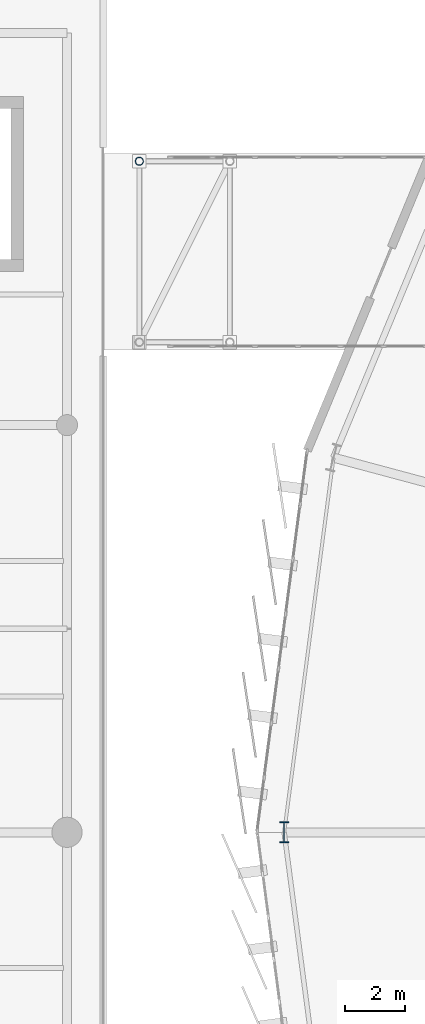
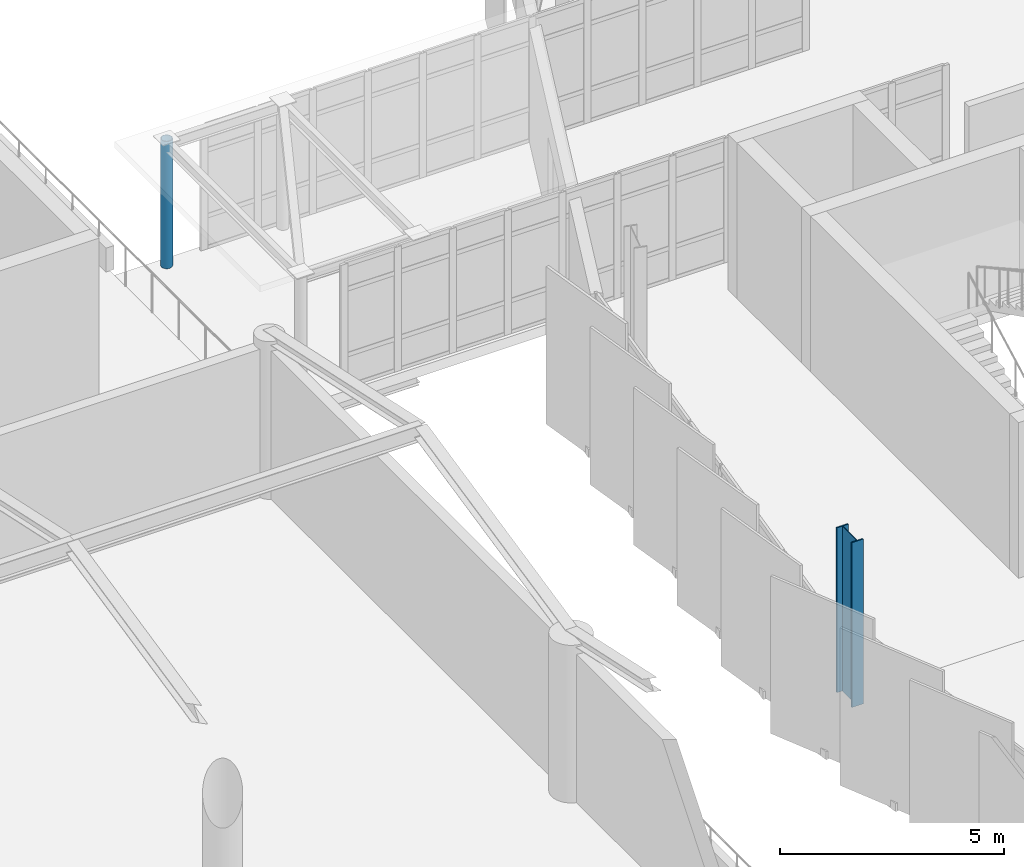
# One storey, part 10 of 120: 2 columns.
"""IFC4 building model written with IfcOpenShell, lengths in metres."""

from ifc_helpers import new_model, si_unit, direction, frame, origin, origin_2d, place, context, subcontext, project, spatial, hollow_circle, i_section, extrude, material, material_profile, profile_set, type_object, element, save


model = new_model("IFC4")

# Units and contexts
model_context = context("Model", 3, precision=1e-05, world=origin(), true_north=direction((0.0, 1.0)))
body_context = subcontext(model_context, "Body", "Model", "MODEL_VIEW")
ifc_project = project(units=[si_unit("LENGTHUNIT", "METRE"), si_unit("AREAUNIT", "SQUARE_METRE"), si_unit("VOLUMEUNIT", "CUBIC_METRE"), si_unit("PLANEANGLEUNIT", "RADIAN"), si_unit("MASSUNIT", "GRAM", prefix="KILO")], contexts=[model_context])

# Site, building, storey
site_placement = place(None, origin())
site = spatial("IfcSite", under=ifc_project, at=site_placement, CompositionType="ELEMENT")
building_placement = place(site_placement, origin())
building = spatial("IfcBuilding", under=site, at=building_placement, Name="Sohan Crest Arena", CompositionType="ELEMENT")
storey_placement = place(building_placement, frame((0.0, 0.0, 13.5)))
storey = spatial("IfcBuildingStorey", under=building, at=storey_placement, Name="L03", CompositionType="ELEMENT", Elevation=13.5)

# Columns
ifc_material = material(Name="Steel S355", Category="steel")
ifc_material_profile_1 = material_profile(ifc_material, i_section(OverallWidth=0.300048828125, OverallDepth=0.699951171875, WebThickness=0.01708984375, FlangeThickness=0.031982421875, at=origin_2d()), Name="HEB 700")
ifc_profile_set_1 = profile_set([ifc_material_profile_1], Name="Steel S355")
column_type_1 = type_object("IfcColumnType", Name="STR-COL-C21", PredefinedType="COLUMN", material=ifc_profile_set_1)
column_1_placement = place(storey_placement, frame((50.0, 78.0, 0.0), z_axis=(0.0, 0.0, 1.0), x_axis=(1.0, 0.0, 0.0)))
element("IfcColumn", 1, at=column_1_placement, inside=storey, type_object=column_type_1, Name="Structural column COL-V2O-07-L03", PredefinedType="COLUMN", context=body_context, shape_type="SweptSolid", body=[
    extrude(i_section(OverallWidth=0.300048828125, OverallDepth=0.699951171875, WebThickness=0.01708984375, FlangeThickness=0.031982421875, at=origin_2d()), origin(), (0.0, 0.0, 1.0), 4.5),
])
ifc_material_profile_2 = material_profile(ifc_material, hollow_circle(Radius=0.136474609375, WallThickness=0.012451171875, at=origin_2d()), Name="CHS 273x12.5")
ifc_profile_set_2 = profile_set([ifc_material_profile_2], Name="Steel S355")
column_type_2 = type_object("IfcColumnType", Name="STR-COL-C25", PredefinedType="COLUMN", material=ifc_profile_set_2)
column_2_placement = place(storey_placement, frame((45.199951171875, 100.25, 0.0), z_axis=(0.0, 0.0, 1.0), x_axis=(1.0, 0.0, 0.0)))
element("IfcColumn", 2, at=column_2_placement, inside=storey, type_object=column_type_2, Name="Structural column COL-BC-BR-W2-3-L03", PredefinedType="COLUMN", context=body_context, shape_type="SweptSolid", body=[
    extrude(hollow_circle(Radius=0.136474609375, WallThickness=0.012451171875, at=origin_2d()), origin(), (0.0, 0.0, 1.0), 3.47509765625),
])

save(model, "model.ifc")
